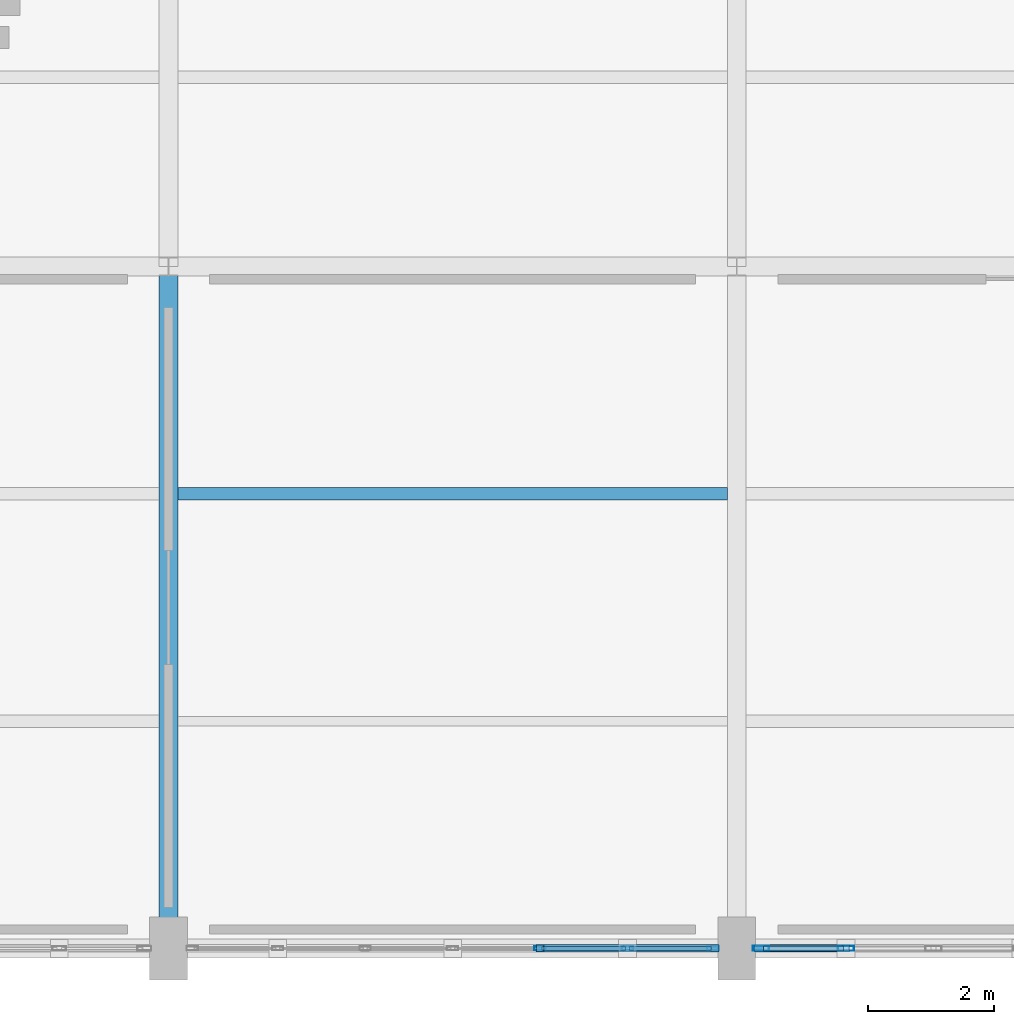
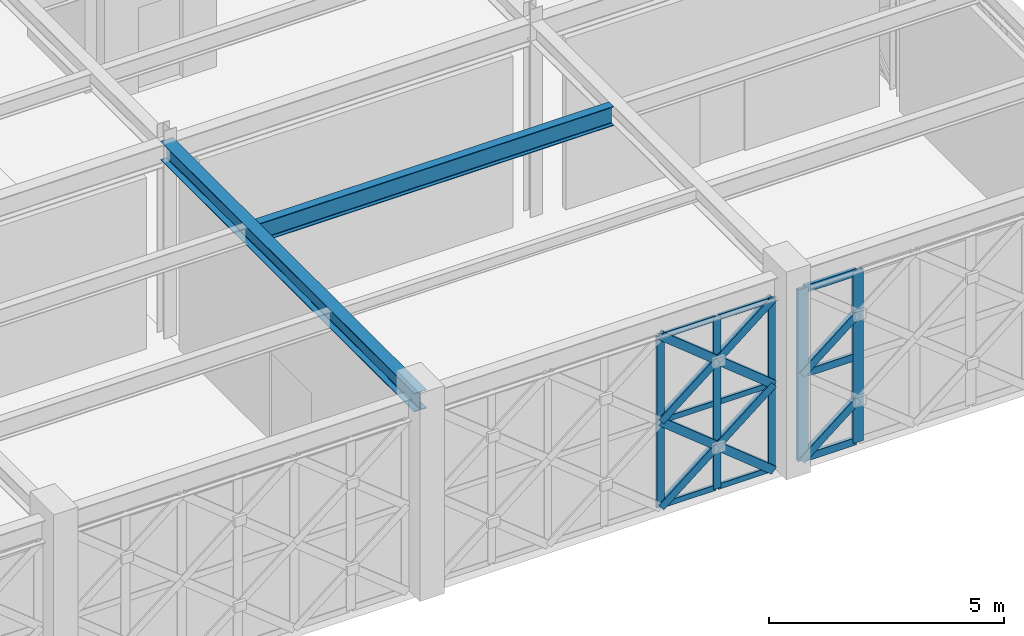
# One storey, part 38 of 155: 22 members, 2 beams, 2 elements without a shape of their own.
"""IFC4 building model written with IfcOpenShell, lengths in metres."""

from ifc_helpers import new_model, si_unit, direction, frame, origin, origin_2d, place, context, subcontext, project, spatial, hollow_rectangle, i_section, extrude, material, material_profile, profile_set, type_object, element, aggregate, save


model = new_model("IFC4")

# Units and contexts
model_context = context("Model", 3, precision=1e-05, world=origin(), true_north=direction((0.0, 1.0)))
body_context = subcontext(model_context, "Body", "Model", "MODEL_VIEW")
ifc_project = project(units=[si_unit("LENGTHUNIT", "METRE"), si_unit("AREAUNIT", "SQUARE_METRE"), si_unit("VOLUMEUNIT", "CUBIC_METRE"), si_unit("PLANEANGLEUNIT", "RADIAN"), si_unit("MASSUNIT", "GRAM", prefix="KILO")], contexts=[model_context])

# Site, building, storey
site_placement = place(None, origin())
site = spatial("IfcSite", under=ifc_project, at=site_placement, CompositionType="ELEMENT")
building_placement = place(site_placement, origin())
building = spatial("IfcBuilding", under=site, at=building_placement, Name="Haizhuo Lancet Aquarium", CompositionType="ELEMENT")
storey_placement = place(building_placement, frame((0.0, 0.0, 10.800048828125)))
storey = spatial("IfcBuildingStorey", under=building, at=storey_placement, Name="L02", CompositionType="ELEMENT", Elevation=10.800048828125)

# Beam
ifc_material_1 = material(Name="Steel S355", Category="steel")
ifc_material_profile_1 = material_profile(ifc_material_1, i_section(OverallWidth=0.300048828125, OverallDepth=0.488037109375, WebThickness=0.010986328125, FlangeThickness=0.01806640625, FilletRadius=0.02392578125, at=origin_2d()), Name="HM 488x300x11x18")
ifc_profile_set_1 = profile_set([ifc_material_profile_1], Name="Steel S355")
beam_type_1 = type_object("IfcBeamType", Name="BM-ST-HM488", PredefinedType="BEAM", material=ifc_profile_set_1)
beam_1_placement = place(storey_placement, frame((0.0, -55.800048828125, 4.805908203125), z_axis=(0.0, 1.0, 0.0), x_axis=(-1.0, 0.0, 0.0)))
element("IfcBeam", 1, at=beam_1_placement, inside=storey, type_object=beam_type_1, Name="L02 V4 primary girder BM-L02-V4-014", PredefinedType="BEAM", context=body_context, shape_type="SweptSolid", body=[
    extrude(i_section(OverallWidth=0.300048828125, OverallDepth=0.488037109375, WebThickness=0.010986328125, FlangeThickness=0.01806640625, FilletRadius=0.02392578125, at=origin_2d()), origin(), (0.0, 0.0, 1.0), 10.800048828125),
])

# Curtain wall, members
ifc_material_2 = material(Name="Aluminium 6063-T6", Category="aluminium")
curtain_wall_type = type_object("IfcCurtainWallType", Name="CWO-8310x4460", PredefinedType="NOTDEFINED", material=ifc_material_2)
curtain_wall_1_placement = place(storey_placement, origin())
curtain_wall_1 = element("IfcCurtainWall", 2, at=curtain_wall_1_placement, inside=storey, type_object=curtain_wall_type, Name="L02 curtain wall CW-V4-L02-109", PredefinedType="NOTDEFINED")
ifc_material_profile_2 = material_profile(ifc_material_2, hollow_rectangle(XDim=0.06494140625, YDim=0.179931640625, WallThickness=0.00390625, at=origin_2d()), Name="ALU-M 65x180x4")
ifc_profile_set_2 = profile_set([ifc_material_profile_2], Name="Aluminium 6063-T6")
member_type_1 = type_object("IfcMemberType", Name="CW-MUL-1", PredefinedType="MULLION", material=ifc_profile_set_2)
member_1_placement = place(storey_placement, frame((8.6220703125, -55.800048828125, 0.0), z_axis=(0.0, 0.0, 1.0), x_axis=(0.0, -1.0, 0.0)))
member_1 = element("IfcMember", 3, at=member_1_placement, type_object=member_type_1, Name="CWO-83x44 mullion 1", PredefinedType="MULLION", context=body_context, shape_type="SweptSolid", body=[
    extrude(hollow_rectangle(XDim=0.06494140625, YDim=0.179931640625, WallThickness=0.00390625, at=origin_2d()), origin(), (0.0, 0.0, 1.0), 4.4619140625),
])
member_2_placement = place(storey_placement, frame((7.27001953125, -55.800048828125, 0.0), z_axis=(0.0, 0.0, 1.0), x_axis=(0.0, -1.0, 0.0)))
member_2 = element("IfcMember", 4, at=member_2_placement, type_object=member_type_1, Name="CWO-83x44 mullion 2", PredefinedType="MULLION", context=body_context, shape_type="SweptSolid", body=[
    extrude(hollow_rectangle(XDim=0.06494140625, YDim=0.179931640625, WallThickness=0.00390625, at=origin_2d()), origin(), (0.0, 0.0, 1.0), 4.4619140625),
])
member_3_placement = place(storey_placement, frame((5.885009765625, -55.800048828125, 0.0), z_axis=(0.0, 0.0, 1.0), x_axis=(0.0, -1.0, 0.0)))
member_3 = element("IfcMember", 5, at=member_3_placement, type_object=member_type_1, Name="CWO-83x44 mullion 3", PredefinedType="MULLION", context=body_context, shape_type="SweptSolid", body=[
    extrude(hollow_rectangle(XDim=0.06494140625, YDim=0.179931640625, WallThickness=0.00390625, at=origin_2d()), origin(), (0.0, 0.0, 1.0), 4.4619140625),
])

curtain_wall_2_placement = place(storey_placement, origin())
curtain_wall_2 = element("IfcCurtainWall", 6, at=curtain_wall_2_placement, inside=storey, type_object=curtain_wall_type, Name="L02 curtain wall CW-V4-L02-108", PredefinedType="NOTDEFINED")
ifc_material_profile_3 = material_profile(ifc_material_2, hollow_rectangle(XDim=0.080078125, YDim=0.260009765625, WallThickness=0.0048828125, at=origin_2d()), Name="ALU-M 80x260x5")
ifc_profile_set_3 = profile_set([ifc_material_profile_3], Name="Aluminium 6063-T6")
member_type_2 = type_object("IfcMemberType", Name="CW-MUL-3", PredefinedType="MULLION", material=ifc_profile_set_3)
member_4_placement = place(storey_placement, frame((10.72998046875, -55.800048828125, 0.0), z_axis=(0.0, 0.0, 1.0), x_axis=(0.0, -1.0, 0.0)))
member_4 = element("IfcMember", 7, at=member_4_placement, type_object=member_type_2, Name="CWO-83x44 mullion 6", PredefinedType="MULLION", context=body_context, shape_type="SweptSolid", body=[
    extrude(hollow_rectangle(XDim=0.080078125, YDim=0.260009765625, WallThickness=0.0048828125, at=origin_2d()), origin(), (0.0, 0.0, 1.0), 4.4619140625),
])
member_5_placement = place(storey_placement, frame((9.385009765625, -55.800048828125, 0.0), z_axis=(0.0, 0.0, 1.0), x_axis=(0.0, -1.0, 0.0)))
member_5 = element("IfcMember", 8, at=member_5_placement, type_object=member_type_2, Name="CWO-83x44 mullion 7", PredefinedType="MULLION", context=body_context, shape_type="SweptSolid", body=[
    extrude(hollow_rectangle(XDim=0.080078125, YDim=0.260009765625, WallThickness=0.0048828125, at=origin_2d()), origin(), (0.0, 0.0, 1.0), 4.4619140625),
])

# Member
ifc_material_profile_4 = material_profile(ifc_material_2, hollow_rectangle(XDim=0.06494140625, YDim=0.139892578125, WallThickness=0.00390625, at=origin_2d()), Name="ALU-T 65x140x4")
ifc_profile_set_4 = profile_set([ifc_material_profile_4], Name="Aluminium 6063-T6")
member_type_3 = type_object("IfcMemberType", Name="CW-TRN-1", PredefinedType="NOTDEFINED", material=ifc_profile_set_4)
member_6_placement = place(storey_placement, frame((8.590087890625, -55.800048828125, 0.032958984375), z_axis=(-1.0, 0.0, 0.0), x_axis=(0.0, -1.0, 0.0)))
member_6 = element("IfcMember", 9, at=member_6_placement, type_object=member_type_3, Name="CWO-83x44 transom 1.1", ObjectType="TRANSOM", PredefinedType="USERDEFINED", context=body_context, shape_type="SweptSolid", body=[
    extrude(hollow_rectangle(XDim=0.06494140625, YDim=0.139892578125, WallThickness=0.00390625, at=origin_2d()), origin(), (0.0, 0.0, 1.0), 1.2880859375),
])

member_7_placement = place(storey_placement, frame((8.590087890625, -55.800048828125, 2.23095703125), z_axis=(-1.0, 0.0, 0.0), x_axis=(0.0, -1.0, 0.0)))
member_7 = element("IfcMember", 10, at=member_7_placement, type_object=member_type_3, Name="CWO-83x44 transom 1.2", ObjectType="TRANSOM", PredefinedType="USERDEFINED", context=body_context, shape_type="SweptSolid", body=[
    extrude(hollow_rectangle(XDim=0.06494140625, YDim=0.139892578125, WallThickness=0.00390625, at=origin_2d()), origin(), (0.0, 0.0, 1.0), 1.2880859375),
])

member_8_placement = place(storey_placement, frame((8.590087890625, -55.800048828125, 4.428955078125), z_axis=(-1.0, 0.0, 0.0), x_axis=(0.0, -1.0, 0.0)))
member_8 = element("IfcMember", 11, at=member_8_placement, type_object=member_type_3, Name="CWO-83x44 transom 1.3", ObjectType="TRANSOM", PredefinedType="USERDEFINED", context=body_context, shape_type="SweptSolid", body=[
    extrude(hollow_rectangle(XDim=0.06494140625, YDim=0.139892578125, WallThickness=0.00390625, at=origin_2d()), origin(), (0.0, 0.0, 1.0), 1.2880859375),
])

member_9_placement = place(storey_placement, frame((7.237060546875, -55.800048828125, 0.032958984375), z_axis=(-1.0, 0.0, 0.0), x_axis=(0.0, -1.0, 0.0)))
member_9 = element("IfcMember", 12, at=member_9_placement, type_object=member_type_3, Name="CWO-83x44 transom 2.1", ObjectType="TRANSOM", PredefinedType="USERDEFINED", context=body_context, shape_type="SweptSolid", body=[
    extrude(hollow_rectangle(XDim=0.06494140625, YDim=0.139892578125, WallThickness=0.00390625, at=origin_2d()), origin(), (0.0, 0.0, 1.0), 1.319091796875),
])

member_10_placement = place(storey_placement, frame((7.237060546875, -55.800048828125, 2.23095703125), z_axis=(-1.0, 0.0, 0.0), x_axis=(0.0, -1.0, 0.0)))
member_10 = element("IfcMember", 13, at=member_10_placement, type_object=member_type_3, Name="CWO-83x44 transom 2.2", ObjectType="TRANSOM", PredefinedType="USERDEFINED", context=body_context, shape_type="SweptSolid", body=[
    extrude(hollow_rectangle(XDim=0.06494140625, YDim=0.139892578125, WallThickness=0.00390625, at=origin_2d()), origin(), (0.0, 0.0, 1.0), 1.319091796875),
])

member_11_placement = place(storey_placement, frame((7.237060546875, -55.800048828125, 4.428955078125), z_axis=(-1.0, 0.0, 0.0), x_axis=(0.0, -1.0, 0.0)))
member_11 = element("IfcMember", 14, at=member_11_placement, type_object=member_type_3, Name="CWO-83x44 transom 2.3", ObjectType="TRANSOM", PredefinedType="USERDEFINED", context=body_context, shape_type="SweptSolid", body=[
    extrude(hollow_rectangle(XDim=0.06494140625, YDim=0.139892578125, WallThickness=0.00390625, at=origin_2d()), origin(), (0.0, 0.0, 1.0), 1.319091796875),
])

aggregate(curtain_wall_1, [member_1, member_2, member_3, member_6, member_7, member_8, member_9, member_10, member_11])

ifc_material_profile_5 = material_profile(ifc_material_2, hollow_rectangle(XDim=0.080078125, YDim=0.18994140625, WallThickness=0.0048828125, at=origin_2d()), Name="ALU-T 80x190x5")
ifc_profile_set_5 = profile_set([ifc_material_profile_5], Name="Aluminium 6063-T6")
member_type_4 = type_object("IfcMemberType", Name="CW-TRN-3", PredefinedType="NOTDEFINED", material=ifc_profile_set_5)
member_12_placement = place(storey_placement, frame((10.68994140625, -55.800048828125, 0.0400390625), z_axis=(-1.0, 0.0, 0.0), x_axis=(0.0, -1.0, 0.0)))
member_12 = element("IfcMember", 15, at=member_12_placement, type_object=member_type_4, Name="CWO-83x44 transom 6.1", ObjectType="TRANSOM", PredefinedType="USERDEFINED", context=body_context, shape_type="SweptSolid", body=[
    extrude(hollow_rectangle(XDim=0.080078125, YDim=0.18994140625, WallThickness=0.0048828125, at=origin_2d()), origin(), (0.0, 0.0, 1.0), 1.264892578125),
])

member_13_placement = place(storey_placement, frame((10.68994140625, -55.800048828125, 2.23095703125), z_axis=(-1.0, 0.0, 0.0), x_axis=(0.0, -1.0, 0.0)))
member_13 = element("IfcMember", 16, at=member_13_placement, type_object=member_type_4, Name="CWO-83x44 transom 6.2", ObjectType="TRANSOM", PredefinedType="USERDEFINED", context=body_context, shape_type="SweptSolid", body=[
    extrude(hollow_rectangle(XDim=0.080078125, YDim=0.18994140625, WallThickness=0.0048828125, at=origin_2d()), origin(), (0.0, 0.0, 1.0), 1.264892578125),
])

member_14_placement = place(storey_placement, frame((10.68994140625, -55.800048828125, 4.421875), z_axis=(-1.0, 0.0, 0.0), x_axis=(0.0, -1.0, 0.0)))
member_14 = element("IfcMember", 17, at=member_14_placement, type_object=member_type_4, Name="CWO-83x44 transom 6.3", ObjectType="TRANSOM", PredefinedType="USERDEFINED", context=body_context, shape_type="SweptSolid", body=[
    extrude(hollow_rectangle(XDim=0.080078125, YDim=0.18994140625, WallThickness=0.0048828125, at=origin_2d()), origin(), (0.0, 0.0, 1.0), 1.264892578125),
])

aggregate(curtain_wall_2, [member_4, member_5, member_12, member_13, member_14])

# Beam
ifc_material_profile_6 = material_profile(ifc_material_1, i_section(OverallWidth=0.199951171875, OverallDepth=0.5, WebThickness=0.010009765625, FlangeThickness=0.01611328125, FilletRadius=0.02001953125, at=origin_2d()), Name="HN 500x200x10x16")
ifc_profile_set_6 = profile_set([ifc_material_profile_6], Name="Steel S355")
beam_type_2 = type_object("IfcBeamType", Name="JST-ST-HN500", PredefinedType="JOIST", material=ifc_profile_set_6)
beam_2_placement = place(storey_placement, frame((0.14990234375, -48.60009765625, 4.800048828125), z_axis=(1.0, 0.0, 0.0), x_axis=(0.0, 1.0, 0.0)))
element("IfcBeam", 18, at=beam_2_placement, inside=storey, type_object=beam_type_2, Name="L02 V4 secondary floor joist 12", PredefinedType="JOIST", context=body_context, shape_type="SweptSolid", body=[
    extrude(i_section(OverallWidth=0.199951171875, OverallDepth=0.5, WebThickness=0.010009765625, FlangeThickness=0.01611328125, FilletRadius=0.02001953125, at=origin_2d()), origin(), (0.0, 0.0, 1.0), 8.7001953125),
])

# Members
ifc_material_profile_7 = material_profile(ifc_material_1, hollow_rectangle(XDim=0.1201171875, YDim=0.199951171875, WallThickness=0.008056640625, at=origin_2d()), Name="RHS 120x200x8")
ifc_profile_set_7 = profile_set([ifc_material_profile_7], Name="Steel S355")
member_type_5 = type_object("IfcMemberType", Name="MEM-LB-RHS120x200", PredefinedType="BRACE", material=ifc_profile_set_7)
member_15_placement = place(storey_placement, frame((9.344970703125, -55.800048828125, 0.0), z_axis=(0.77868125898, 0.0, 0.62741971352), x_axis=(0.0, 1.0, 0.0)))
element("IfcMember", 19, at=member_15_placement, inside=storey, type_object=member_type_5, Name="Gothic lancet split diagonal brace CW-V4-L02-108 5B1", PredefinedType="BRACE", context=body_context, shape_type="SweptSolid", body=[
    extrude(hollow_rectangle(XDim=0.1201171875, YDim=0.199951171875, WallThickness=0.008056640625, at=origin_2d()), origin(), (0.0, 0.0, 1.0), 1.778564453125),
])
member_16_placement = place(storey_placement, frame((9.344970703125, -55.800048828125, 2.23095703125), z_axis=(0.778949520963, 0.0, 0.627086631807), x_axis=(0.0, 1.0, 0.0)))
element("IfcMember", 20, at=member_16_placement, inside=storey, type_object=member_type_5, Name="Gothic lancet split diagonal brace CW-V4-L02-108 6B1", PredefinedType="BRACE", context=body_context, shape_type="SweptSolid", body=[
    extrude(hollow_rectangle(XDim=0.1201171875, YDim=0.199951171875, WallThickness=0.008056640625, at=origin_2d()), origin(), (0.0, 0.0, 1.0), 1.778076171875),
])
member_17_placement = place(storey_placement, frame((8.655029296875, -55.800048828125, 0.0), z_axis=(-0.778815384678, 0.0, 0.627253215687), x_axis=(0.0, -1.0, 0.0)))
element("IfcMember", 21, at=member_17_placement, inside=storey, type_object=member_type_5, Name="Gothic lancet continuous diagonal brace CW-V4-L02-109 1A", PredefinedType="BRACE", context=body_context, shape_type="SweptSolid", body=[
    extrude(hollow_rectangle(XDim=0.1201171875, YDim=0.199951171875, WallThickness=0.008056640625, at=origin_2d()), origin(), (0.0, 0.0, 1.0), 3.556640625),
])
member_18_placement = place(storey_placement, frame((5.885009765625, -55.800048828125, 0.0), z_axis=(0.77868125898, 0.0, 0.62741971352), x_axis=(0.0, 1.0, 0.0)))
element("IfcMember", 22, at=member_18_placement, inside=storey, type_object=member_type_5, Name="Gothic lancet split diagonal brace CW-V4-L02-109 1B1", PredefinedType="BRACE", context=body_context, shape_type="SweptSolid", body=[
    extrude(hollow_rectangle(XDim=0.1201171875, YDim=0.199951171875, WallThickness=0.008056640625, at=origin_2d()), origin(), (0.0, 0.0, 1.0), 1.778564453125),
])
member_19_placement = place(storey_placement, frame((7.27001953125, -55.800048828125, 1.115966796875), z_axis=(0.778949520963, 0.0, 0.627086631807), x_axis=(0.0, 1.0, 0.0)))
element("IfcMember", 23, at=member_19_placement, inside=storey, type_object=member_type_5, Name="Gothic lancet split diagonal brace CW-V4-L02-109 1B2", PredefinedType="BRACE", context=body_context, shape_type="SweptSolid", body=[
    extrude(hollow_rectangle(XDim=0.1201171875, YDim=0.199951171875, WallThickness=0.008056640625, at=origin_2d()), origin(), (0.0, 0.0, 1.0), 1.778076171875),
])
member_20_placement = place(storey_placement, frame((8.655029296875, -55.800048828125, 2.23095703125), z_axis=(-0.778815384678, 0.0, 0.627253215687), x_axis=(0.0, -1.0, 0.0)))
element("IfcMember", 24, at=member_20_placement, inside=storey, type_object=member_type_5, Name="Gothic lancet continuous diagonal brace CW-V4-L02-109 2A", PredefinedType="BRACE", context=body_context, shape_type="SweptSolid", body=[
    extrude(hollow_rectangle(XDim=0.1201171875, YDim=0.199951171875, WallThickness=0.008056640625, at=origin_2d()), origin(), (0.0, 0.0, 1.0), 3.556640625),
])
member_21_placement = place(storey_placement, frame((5.885009765625, -55.800048828125, 2.23095703125), z_axis=(0.778949520963, 0.0, 0.627086631807), x_axis=(0.0, 1.0, 0.0)))
element("IfcMember", 25, at=member_21_placement, inside=storey, type_object=member_type_5, Name="Gothic lancet split diagonal brace CW-V4-L02-109 2B1", PredefinedType="BRACE", context=body_context, shape_type="SweptSolid", body=[
    extrude(hollow_rectangle(XDim=0.1201171875, YDim=0.199951171875, WallThickness=0.008056640625, at=origin_2d()), origin(), (0.0, 0.0, 1.0), 1.778076171875),
])
member_22_placement = place(storey_placement, frame((7.27001953125, -55.800048828125, 3.345947265625), z_axis=(0.77868125898, 0.0, 0.62741971352), x_axis=(0.0, 1.0, 0.0)))
element("IfcMember", 26, at=member_22_placement, inside=storey, type_object=member_type_5, Name="Gothic lancet split diagonal brace CW-V4-L02-109 2B2", PredefinedType="BRACE", context=body_context, shape_type="SweptSolid", body=[
    extrude(hollow_rectangle(XDim=0.1201171875, YDim=0.199951171875, WallThickness=0.008056640625, at=origin_2d()), origin(), (0.0, 0.0, 1.0), 1.778564453125),
])

save(model, "model.ifc")
